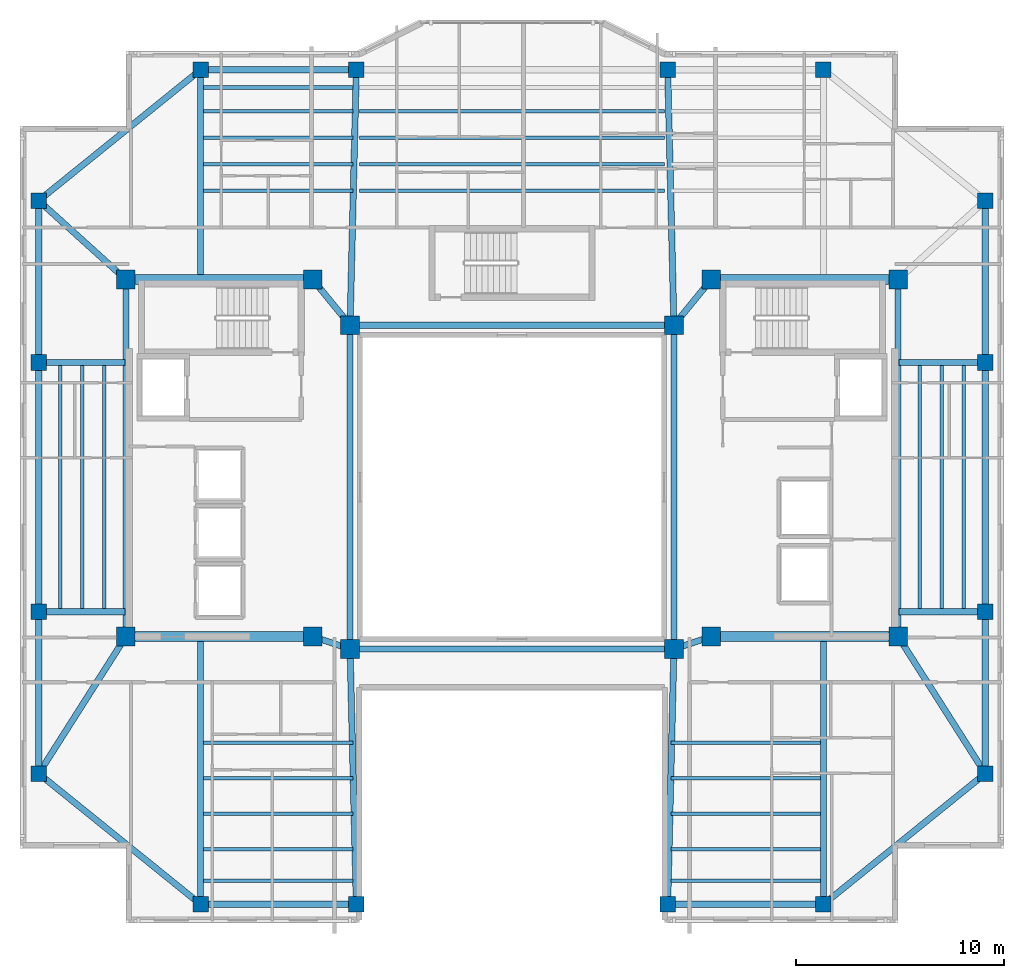
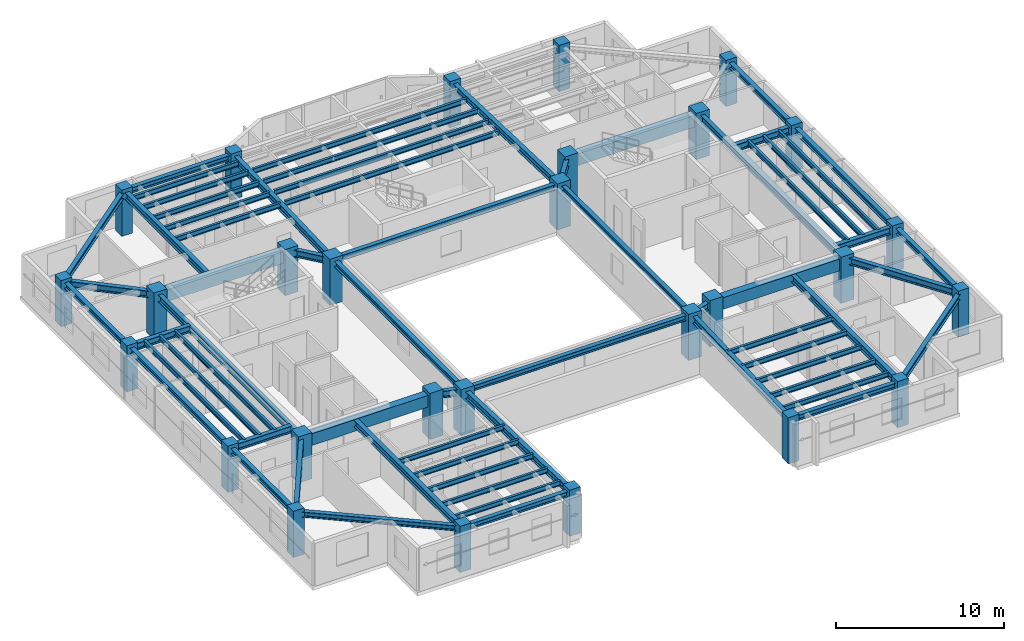
# One storey, part 1 of 12: 65 beams, 28 columns.
"""IFC4 building model written with IfcOpenShell, lengths in metres."""

from ifc_helpers import new_model, si_unit, direction, frame, origin, origin_2d, place, context, subcontext, project, spatial, rectangle, i_section, extrude, material, material_profile, profile_set, type_object, element, save


model = new_model("IFC4")

# Units and contexts
model_context = context("Model", 3, precision=1e-05, world=origin(), true_north=direction((0.0, 1.0)))
body_context = subcontext(model_context, "Body", "Model", "MODEL_VIEW")
ifc_project = project(units=[si_unit("LENGTHUNIT", "METRE"), si_unit("AREAUNIT", "SQUARE_METRE"), si_unit("VOLUMEUNIT", "CUBIC_METRE"), si_unit("PLANEANGLEUNIT", "RADIAN"), si_unit("MASSUNIT", "GRAM", prefix="KILO")], contexts=[model_context])

# Site, building, storey
site_placement = place(None, origin())
site = spatial("IfcSite", under=ifc_project, at=site_placement, CompositionType="ELEMENT")
building_placement = place(site_placement, origin())
building = spatial("IfcBuilding", under=site, at=building_placement, Name="Tarnavaz Court Tower", CompositionType="ELEMENT")
storey_placement = place(building_placement, frame((0.0, 0.0, 200.300048828125)))
storey = spatial("IfcBuildingStorey", under=building, at=storey_placement, Name="L54", CompositionType="ELEMENT", Elevation=200.300048828125)

# Columns
ifc_material_1 = material(Name="Concrete C50/60", Category="concrete")
ifc_material_profile_1 = material_profile(ifc_material_1, rectangle(XDim=0.75, YDim=0.75, at=origin_2d()), Name="RC 750X750")
ifc_profile_set_1 = profile_set([ifc_material_profile_1], Name="Concrete C50/60")
column_type_1 = type_object("IfcColumnType", Name="CL-RC750", PredefinedType="COLUMN", material=ifc_profile_set_1)
for number, where, z_axis, x_axis, name in (
    (1, (-15.0, 20.10009765625, 0.0), (0.0, 0.0, 1.0), (1.0, 0.0, 0.0), "L54 Column PN-1"),
    (2, (-7.5, 20.10009765625, 0.0), (0.0, 0.0, 1.0), (1.0, 0.0, 0.0), "L54 Column PN-2"),
    (3, (7.5, 20.10009765625, 0.0), (0.0, 0.0, 1.0), (1.0, 0.0, 0.0), "L54 Column PN-3"),
    (4, (15.0, 20.10009765625, 0.0), (0.0, 0.0, 1.0), (1.0, 0.0, 0.0), "L54 Column PN-4"),
    (5, (-15.0, -20.10009765625, 0.0), (0.0, 0.0, 1.0), (1.0, 0.0, 0.0), "L54 Column PS-1"),
    (6, (-7.5, -20.10009765625, 0.0), (0.0, 0.0, 1.0), (1.0, 0.0, 0.0), "L54 Column PS-2"),
    (7, (7.5, -20.10009765625, 0.0), (0.0, 0.0, 1.0), (1.0, 0.0, 0.0), "L54 Column PS-3"),
    (8, (15.0, -20.10009765625, 0.0), (0.0, 0.0, 1.0), (1.0, 0.0, 0.0), "L54 Column PS-4"),
    (9, (22.800048828125, -13.800048828125, 0.0), (0.0, 0.0, 1.0), (1.0, 0.0, 0.0), "L54 Column PE-1"),
    (10, (22.800048828125, -6.0, 0.0), (0.0, 0.0, 1.0), (1.0, 0.0, 0.0), "L54 Column PE-2"),
    (11, (22.800048828125, 6.0, 0.0), (0.0, 0.0, 1.0), (1.0, 0.0, 0.0), "L54 Column PE-3"),
    (12, (22.800048828125, 13.800048828125, 0.0), (0.0, 0.0, 1.0), (1.0, 0.0, 0.0), "L54 Column PE-4"),
    (13, (-22.800048828125, -13.800048828125, 0.0), (0.0, 0.0, 1.0), (1.0, 0.0, 0.0), "L54 Column PW-1"),
    (14, (-22.800048828125, -6.0, 0.0), (0.0, 0.0, 1.0), (1.0, 0.0, 0.0), "L54 Column PW-2"),
    (15, (-22.800048828125, 6.0, 0.0), (0.0, 0.0, 1.0), (1.0, 0.0, 0.0), "L54 Column PW-3"),
    (16, (-22.800048828125, 13.800048828125, 0.0), (0.0, 0.0, 1.0), (1.0, 0.0, 0.0), "L54 Column PW-4"),
):
    element("IfcColumn", number, at=place(storey_placement, frame(where, z_axis=z_axis, x_axis=x_axis)), inside=storey, type_object=column_type_1, Name=name, PredefinedType="COLUMN", context=body_context, shape_type="SweptSolid", body=[
        extrude(rectangle(XDim=0.75, YDim=0.75, at=origin_2d()), origin(), (0.0, 0.0, 1.0), 3.349853515625),
    ])
ifc_material_profile_2 = material_profile(ifc_material_1, rectangle(XDim=0.89990234375, YDim=0.89990234375, at=origin_2d()), Name="RC 900X900")
ifc_profile_set_2 = profile_set([ifc_material_profile_2], Name="Concrete C50/60")
column_type_2 = type_object("IfcColumnType", Name="CL-RC900", PredefinedType="COLUMN", material=ifc_profile_set_2)
for number, where, z_axis, x_axis, name in (
    (17, (-7.800048828125, -7.800048828125, 0.0), (0.0, 0.0, 1.0), (1.0, 0.0, 0.0), "L54 Column IW-SW"),
    (18, (7.800048828125, -7.800048828125, 0.0), (0.0, 0.0, 1.0), (1.0, 0.0, 0.0), "L54 Column IW-SE"),
    (19, (-7.800048828125, 7.800048828125, 0.0), (0.0, 0.0, 1.0), (1.0, 0.0, 0.0), "L54 Column IW-NW"),
    (20, (7.800048828125, 7.800048828125, 0.0), (0.0, 0.0, 1.0), (1.0, 0.0, 0.0), "L54 Column IW-NE"),
    (21, (-9.60009765625, -7.199951171875, 0.0), (0.0, 0.0, 1.0), (1.0, 0.0, 0.0), "L54 Column CW-SI"),
    (22, (-9.60009765625, 10.0, 0.0), (0.0, 0.0, 1.0), (1.0, 0.0, 0.0), "L54 Column CW-NI"),
    (23, (9.60009765625, -7.199951171875, 0.0), (0.0, 0.0, 1.0), (1.0, 0.0, 0.0), "L54 Column CE-SI"),
    (24, (9.60009765625, 10.0, 0.0), (0.0, 0.0, 1.0), (1.0, 0.0, 0.0), "L54 Column CE-NI"),
    (25, (-18.60009765625, -7.199951171875, 0.0), (0.0, 0.0, 1.0), (1.0, 0.0, 0.0), "L54 Column CW-SO"),
    (26, (-18.60009765625, 10.0, 0.0), (0.0, 0.0, 1.0), (1.0, 0.0, 0.0), "L54 Column CW-NO"),
    (27, (18.60009765625, -7.199951171875, 0.0), (0.0, 0.0, 1.0), (1.0, 0.0, 0.0), "L54 Column CE-SO"),
    (28, (18.60009765625, 10.0, 0.0), (0.0, 0.0, 1.0), (1.0, 0.0, 0.0), "L54 Column CE-NO"),
):
    element("IfcColumn", number, at=place(storey_placement, frame(where, z_axis=z_axis, x_axis=x_axis)), inside=storey, type_object=column_type_2, Name=name, PredefinedType="COLUMN", context=body_context, shape_type="SweptSolid", body=[
        extrude(rectangle(XDim=0.89990234375, YDim=0.89990234375, at=origin_2d()), origin(), (0.0, 0.0, 1.0), 3.349853515625),
    ])

# Beams
ifc_material_profile_3 = material_profile(ifc_material_1, rectangle(XDim=0.5, YDim=0.85009765625, at=origin_2d()), Name="RC 500X850")
ifc_profile_set_3 = profile_set([ifc_material_profile_3], Name="Concrete C50/60")
beam_type_1 = type_object("IfcBeamType", Name="BM-CB850", PredefinedType="LINTEL", material=ifc_profile_set_3)
for number, where, z_axis, x_axis, name in (
    (29, (-18.3798828125, -7.199951171875, 2.675048828125), (1.0, 0.0, 0.0), (0.0, 1.0, 0.0), "L54 Beam IN-CW-SO-CW-SI"),
    (30, (-18.3798828125, 10.0, 2.675048828125), (1.0, 0.0, 0.0), (0.0, 1.0, 0.0), "L54 Beam IN-CW-NO-CW-NI"),
    (31, (18.3798828125, -7.199951171875, 2.675048828125), (-1.0, 0.0, 0.0), (0.0, -1.0, 0.0), "L54 Beam IN-CE-SO-CE-SI"),
    (32, (18.3798828125, 10.0, 2.675048828125), (-1.0, 0.0, 0.0), (0.0, -1.0, 0.0), "L54 Beam IN-CE-NO-CE-NI"),
):
    element("IfcBeam", number, at=place(storey_placement, frame(where, z_axis=z_axis, x_axis=x_axis)), inside=storey, type_object=beam_type_1, Name=name, PredefinedType="LINTEL", context=body_context, shape_type="SweptSolid", body=[
        extrude(rectangle(XDim=0.5, YDim=0.85009765625, at=origin_2d()), origin(), (0.0, 0.0, 1.0), 8.559814453125),
    ])
ifc_material_2 = material(Name="Steel S355", Category="steel")
ifc_material_profile_4 = material_profile(ifc_material_2, i_section(OverallWidth=0.300048828125, OverallDepth=0.5, WebThickness=0.014404296875, FlangeThickness=0.028076171875, FilletRadius=0.027099609375, at=origin_2d()), Name="HEB 500")
ifc_profile_set_4 = profile_set([ifc_material_profile_4], Name="Steel S355")
beam_type_2 = type_object("IfcBeamType", Name="BM-G-HEB500", PredefinedType="USERDEFINED", material=ifc_profile_set_4)
for number, where, z_axis, x_axis, name in (
    (33, (-9.391357421875, -7.26953125, 2.849853515625), (0.948666544706, -0.316278021615, 0.0), (0.316278021615, 0.948666544706, 0.0), "L54 Beam IN-CW-SI-IW-SW"),
    (34, (9.391357421875, -7.26953125, 2.849853515625), (-0.948666544706, -0.316278021615, 0.0), (0.316278021615, -0.948666544706, 0.0), "L54 Beam IN-CE-SI-IW-SE"),
):
    element("IfcBeam", number, at=place(storey_placement, frame(where, z_axis=z_axis, x_axis=x_axis)), inside=storey, type_object=beam_type_2, Name=name, ObjectType="GIRDER", PredefinedType="USERDEFINED", context=body_context, shape_type="SweptSolid", body=[
        extrude(i_section(OverallWidth=0.300048828125, OverallDepth=0.5, WebThickness=0.014404296875, FlangeThickness=0.028076171875, FilletRadius=0.027099609375, at=origin_2d()), origin(), (0.0, 0.0, 1.0), 1.457275390625),
    ])
for number, where, z_axis, x_axis, name in (
    (35, (-9.460693359375, 9.82958984375, 2.849853515625), (0.633282058357, -0.773921077735, 0.0), (0.773921077735, 0.633282058357, 0.0), "L54 Beam IN-CW-NI-IW-NW"),
    (36, (9.460693359375, 9.82958984375, 2.849853515625), (-0.633282058357, -0.773921077735, 0.0), (0.773921077735, -0.633282058357, 0.0), "L54 Beam IN-CE-NI-IW-NE"),
):
    element("IfcBeam", number, at=place(storey_placement, frame(where, z_axis=z_axis, x_axis=x_axis)), inside=storey, type_object=beam_type_2, Name=name, ObjectType="GIRDER", PredefinedType="USERDEFINED", context=body_context, shape_type="SweptSolid", body=[
        extrude(i_section(OverallWidth=0.300048828125, OverallDepth=0.5, WebThickness=0.014404296875, FlangeThickness=0.028076171875, FilletRadius=0.027099609375, at=origin_2d()), origin(), (0.0, 0.0, 1.0), 2.402587890625),
    ])
for number, where, z_axis, x_axis, name in (
    (37, (-18.60009765625, -6.97998046875, 2.849853515625), (0.0, 1.0, 0.0), (-1.0, 0.0, 0.0), "L54 Beam IN-CW-SO-CW-NO"),
    (38, (18.60009765625, -6.97998046875, 2.849853515625), (0.0, 1.0, 0.0), (-1.0, 0.0, 0.0), "L54 Beam IN-CE-SO-CE-NO"),
):
    element("IfcBeam", number, at=place(storey_placement, frame(where, z_axis=z_axis, x_axis=x_axis)), inside=storey, type_object=beam_type_2, Name=name, ObjectType="GIRDER", PredefinedType="USERDEFINED", context=body_context, shape_type="SweptSolid", body=[
        extrude(i_section(OverallWidth=0.300048828125, OverallDepth=0.5, WebThickness=0.014404296875, FlangeThickness=0.028076171875, FilletRadius=0.027099609375, at=origin_2d()), origin(), (0.0, 0.0, 1.0), 16.760009765625),
    ])
beam_1_placement = place(storey_placement, frame((-15.0, 10.0400390625, 2.849853515625), z_axis=(0.0, 1.0, 0.0), x_axis=(-1.0, 0.0, 0.0)))
element("IfcBeam", 39, at=beam_1_placement, inside=storey, type_object=beam_type_2, Name="L54 Beam RG-01", ObjectType="GIRDER", PredefinedType="USERDEFINED", context=body_context, shape_type="SweptSolid", body=[
    extrude(i_section(OverallWidth=0.300048828125, OverallDepth=0.5, WebThickness=0.014404296875, FlangeThickness=0.028076171875, FilletRadius=0.027099609375, at=origin_2d()), origin(), (0.0, 0.0, 1.0), 9.83984375),
])
for number, where, z_axis, x_axis, name in (
    (40, (-7.794677734375, 8.02001953125, 2.849853515625), (0.024386002211, 0.99970261723, 0.0), (-0.99970261723, 0.024386002211, 0.0), "L54 Beam RG-02"),
    (41, (7.794677734375, 8.02001953125, 2.849853515625), (-0.024386002211, 0.99970261723, 0.0), (-0.99970261723, -0.024386002211, 0.0), "L54 Beam RG-03"),
):
    element("IfcBeam", number, at=place(storey_placement, frame(where, z_axis=z_axis, x_axis=x_axis)), inside=storey, type_object=beam_type_2, Name=name, ObjectType="GIRDER", PredefinedType="USERDEFINED", context=body_context, shape_type="SweptSolid", body=[
        extrude(i_section(OverallWidth=0.300048828125, OverallDepth=0.5, WebThickness=0.014404296875, FlangeThickness=0.028076171875, FilletRadius=0.027099609375, at=origin_2d()), origin(), (0.0, 0.0, 1.0), 11.863525390625),
    ])
beam_2_placement = place(storey_placement, frame((-15.0, -7.239990234375, 2.849853515625), z_axis=(0.0, -1.0, 0.0), x_axis=(1.0, 0.0, 0.0)))
element("IfcBeam", 42, at=beam_2_placement, inside=storey, type_object=beam_type_2, Name="L54 Beam RG-05", ObjectType="GIRDER", PredefinedType="USERDEFINED", context=body_context, shape_type="SweptSolid", body=[
    extrude(i_section(OverallWidth=0.300048828125, OverallDepth=0.5, WebThickness=0.014404296875, FlangeThickness=0.028076171875, FilletRadius=0.027099609375, at=origin_2d()), origin(), (0.0, 0.0, 1.0), 12.639892578125),
])
for number, where, z_axis, x_axis, name in (
    (43, (-7.794677734375, -8.02001953125, 2.849853515625), (0.024386002211, -0.99970261723, 0.0), (0.99970261723, 0.024386002211, 0.0), "L54 Beam RG-06"),
    (44, (7.794677734375, -8.02001953125, 2.849853515625), (-0.024386002211, -0.99970261723, 0.0), (0.99970261723, -0.024386002211, 0.0), "L54 Beam RG-07"),
):
    element("IfcBeam", number, at=place(storey_placement, frame(where, z_axis=z_axis, x_axis=x_axis)), inside=storey, type_object=beam_type_2, Name=name, ObjectType="GIRDER", PredefinedType="USERDEFINED", context=body_context, shape_type="SweptSolid", body=[
        extrude(i_section(OverallWidth=0.300048828125, OverallDepth=0.5, WebThickness=0.014404296875, FlangeThickness=0.028076171875, FilletRadius=0.027099609375, at=origin_2d()), origin(), (0.0, 0.0, 1.0), 11.863525390625),
    ])
beam_3_placement = place(storey_placement, frame((15.0, -7.239990234375, 2.849853515625), z_axis=(0.0, -1.0, 0.0), x_axis=(1.0, 0.0, 0.0)))
element("IfcBeam", 45, at=beam_3_placement, inside=storey, type_object=beam_type_2, Name="L54 Beam RG-08", ObjectType="GIRDER", PredefinedType="USERDEFINED", context=body_context, shape_type="SweptSolid", body=[
    extrude(i_section(OverallWidth=0.300048828125, OverallDepth=0.5, WebThickness=0.014404296875, FlangeThickness=0.028076171875, FilletRadius=0.027099609375, at=origin_2d()), origin(), (0.0, 0.0, 1.0), 12.639892578125),
])
for number, where, z_axis, x_axis, name in (
    (46, (18.639892578125, -6.0, 2.849853515625), (1.0, 0.0, 0.0), (0.0, 1.0, 0.0), "L54 Beam RG-09"),
    (47, (18.639892578125, 6.0, 2.849853515625), (1.0, 0.0, 0.0), (0.0, 1.0, 0.0), "L54 Beam RG-10"),
):
    element("IfcBeam", number, at=place(storey_placement, frame(where, z_axis=z_axis, x_axis=x_axis)), inside=storey, type_object=beam_type_2, Name=name, ObjectType="GIRDER", PredefinedType="USERDEFINED", context=body_context, shape_type="SweptSolid", body=[
        extrude(i_section(OverallWidth=0.300048828125, OverallDepth=0.5, WebThickness=0.014404296875, FlangeThickness=0.028076171875, FilletRadius=0.027099609375, at=origin_2d()), origin(), (0.0, 0.0, 1.0), 3.940185546875),
    ])
beam_4_placement = place(storey_placement, frame((18.718017578125, -7.385498046875, 2.849853515625), z_axis=(0.536871212964, -0.843664210863, 0.0), x_axis=(0.843664210863, 0.536871212964, 0.0)))
element("IfcBeam", 48, at=beam_4_placement, inside=storey, type_object=beam_type_2, Name="L54 Beam RG-11", ObjectType="GIRDER", PredefinedType="USERDEFINED", context=body_context, shape_type="SweptSolid", body=[
    extrude(i_section(OverallWidth=0.300048828125, OverallDepth=0.5, WebThickness=0.014404296875, FlangeThickness=0.028076171875, FilletRadius=0.027099609375, at=origin_2d()), origin(), (0.0, 0.0, 1.0), 7.38330078125),
])
for number, where, z_axis, x_axis, name in (
    (49, (-18.639892578125, -6.0, 2.849853515625), (-1.0, 0.0, 0.0), (0.0, -1.0, 0.0), "L54 Beam RG-13"),
    (50, (-18.639892578125, 6.0, 2.849853515625), (-1.0, 0.0, 0.0), (0.0, -1.0, 0.0), "L54 Beam RG-14"),
):
    element("IfcBeam", number, at=place(storey_placement, frame(where, z_axis=z_axis, x_axis=x_axis)), inside=storey, type_object=beam_type_2, Name=name, ObjectType="GIRDER", PredefinedType="USERDEFINED", context=body_context, shape_type="SweptSolid", body=[
        extrude(i_section(OverallWidth=0.300048828125, OverallDepth=0.5, WebThickness=0.014404296875, FlangeThickness=0.028076171875, FilletRadius=0.027099609375, at=origin_2d()), origin(), (0.0, 0.0, 1.0), 3.940185546875),
    ])
beam_5_placement = place(storey_placement, frame((-18.718017578125, -7.385498046875, 2.849853515625), z_axis=(-0.536871212964, -0.843664210863, 0.0), x_axis=(0.843664210863, -0.536871212964, 0.0)))
element("IfcBeam", 51, at=beam_5_placement, inside=storey, type_object=beam_type_2, Name="L54 Beam RG-15", ObjectType="GIRDER", PredefinedType="USERDEFINED", context=body_context, shape_type="SweptSolid", body=[
    extrude(i_section(OverallWidth=0.300048828125, OverallDepth=0.5, WebThickness=0.014404296875, FlangeThickness=0.028076171875, FilletRadius=0.027099609375, at=origin_2d()), origin(), (0.0, 0.0, 1.0), 7.38330078125),
])
beam_6_placement = place(storey_placement, frame((-18.76318359375, 10.147705078125, 2.849853515625), z_axis=(-0.741555708494, 0.670891296113, 0.0), x_axis=(-0.670891296113, -0.741555708494, 0.0)))
element("IfcBeam", 52, at=beam_6_placement, inside=storey, type_object=beam_type_2, Name="L54 Beam RG-16", ObjectType="GIRDER", PredefinedType="USERDEFINED", context=body_context, shape_type="SweptSolid", body=[
    extrude(i_section(OverallWidth=0.300048828125, OverallDepth=0.5, WebThickness=0.014404296875, FlangeThickness=0.028076171875, FilletRadius=0.027099609375, at=origin_2d()), origin(), (0.0, 0.0, 1.0), 5.223876953125),
])
ifc_material_profile_5 = material_profile(ifc_material_2, i_section(OverallWidth=0.169921875, OverallDepth=0.360107421875, WebThickness=0.008056640625, FlangeThickness=0.0126953125, FilletRadius=0.01806640625, at=origin_2d()), Name="IPE 360")
ifc_profile_set_5 = profile_set([ifc_material_profile_5], Name="Steel S355")
beam_type_3 = type_object("IfcBeamType", Name="BM-J-IPE360", PredefinedType="JOIST", material=ifc_profile_set_5)
beam_7_placement = place(storey_placement, frame((-14.85009765625, 14.278076171875, 2.919921875), z_axis=(1.0, 0.0, 0.0), x_axis=(0.0, 1.0, 0.0)))
element("IfcBeam", 53, at=beam_7_placement, inside=storey, type_object=beam_type_3, Name="L54 Beam JN1-1", PredefinedType="JOIST", context=body_context, shape_type="SweptSolid", body=[
    extrude(i_section(OverallWidth=0.169921875, OverallDepth=0.360107421875, WebThickness=0.008056640625, FlangeThickness=0.0126953125, FilletRadius=0.01806640625, at=origin_2d()), origin(), (0.0, 0.0, 1.0), 7.2001953125),
])
beam_8_placement = place(storey_placement, frame((-7.35009765625, 14.278076171875, 2.919921875), z_axis=(1.0, 0.0, 0.0), x_axis=(0.0, 1.0, 0.0)))
element("IfcBeam", 54, at=beam_8_placement, inside=storey, type_object=beam_type_3, Name="L54 Beam JN1-2", PredefinedType="JOIST", context=body_context, shape_type="SweptSolid", body=[
    extrude(i_section(OverallWidth=0.169921875, OverallDepth=0.360107421875, WebThickness=0.008056640625, FlangeThickness=0.0126953125, FilletRadius=0.01806640625, at=origin_2d()), origin(), (0.0, 0.0, 1.0), 14.7001953125),
])
for number, where, z_axis, x_axis, name in (
    (55, (-14.85009765625, -12.31005859375, 2.919921875), (1.0, 0.0, 0.0), (0.0, 1.0, 0.0), "L54 Beam JS1-1"),
    (56, (7.64990234375, -12.31005859375, 2.919921875), (1.0, 0.0, 0.0), (0.0, 1.0, 0.0), "L54 Beam JS1-2"),
    (57, (-14.85009765625, 15.555908203125, 2.919921875), (1.0, 0.0, 0.0), (0.0, 1.0, 0.0), "L54 Beam JN2-1"),
):
    element("IfcBeam", number, at=place(storey_placement, frame(where, z_axis=z_axis, x_axis=x_axis)), inside=storey, type_object=beam_type_3, Name=name, PredefinedType="JOIST", context=body_context, shape_type="SweptSolid", body=[
        extrude(i_section(OverallWidth=0.169921875, OverallDepth=0.360107421875, WebThickness=0.008056640625, FlangeThickness=0.0126953125, FilletRadius=0.01806640625, at=origin_2d()), origin(), (0.0, 0.0, 1.0), 7.2001953125),
    ])
beam_9_placement = place(storey_placement, frame((-7.35009765625, 15.555908203125, 2.919921875), z_axis=(1.0, 0.0, 0.0), x_axis=(0.0, 1.0, 0.0)))
element("IfcBeam", 58, at=beam_9_placement, inside=storey, type_object=beam_type_3, Name="L54 Beam JN2-2", PredefinedType="JOIST", context=body_context, shape_type="SweptSolid", body=[
    extrude(i_section(OverallWidth=0.169921875, OverallDepth=0.360107421875, WebThickness=0.008056640625, FlangeThickness=0.0126953125, FilletRadius=0.01806640625, at=origin_2d()), origin(), (0.0, 0.0, 1.0), 14.7001953125),
])
for number, where, z_axis, x_axis, name in (
    (59, (-14.85009765625, -14.02001953125, 2.919921875), (1.0, 0.0, 0.0), (0.0, 1.0, 0.0), "L54 Beam JS2-1"),
    (60, (7.64990234375, -14.02001953125, 2.919921875), (1.0, 0.0, 0.0), (0.0, 1.0, 0.0), "L54 Beam JS2-2"),
    (61, (-14.85009765625, 16.833984375, 2.919921875), (1.0, 0.0, 0.0), (0.0, 1.0, 0.0), "L54 Beam JN3-1"),
):
    element("IfcBeam", number, at=place(storey_placement, frame(where, z_axis=z_axis, x_axis=x_axis)), inside=storey, type_object=beam_type_3, Name=name, PredefinedType="JOIST", context=body_context, shape_type="SweptSolid", body=[
        extrude(i_section(OverallWidth=0.169921875, OverallDepth=0.360107421875, WebThickness=0.008056640625, FlangeThickness=0.0126953125, FilletRadius=0.01806640625, at=origin_2d()), origin(), (0.0, 0.0, 1.0), 7.2001953125),
    ])
beam_10_placement = place(storey_placement, frame((-7.35009765625, 16.833984375, 2.919921875), z_axis=(1.0, 0.0, 0.0), x_axis=(0.0, 1.0, 0.0)))
element("IfcBeam", 62, at=beam_10_placement, inside=storey, type_object=beam_type_3, Name="L54 Beam JN3-2", PredefinedType="JOIST", context=body_context, shape_type="SweptSolid", body=[
    extrude(i_section(OverallWidth=0.169921875, OverallDepth=0.360107421875, WebThickness=0.008056640625, FlangeThickness=0.0126953125, FilletRadius=0.01806640625, at=origin_2d()), origin(), (0.0, 0.0, 1.0), 14.7001953125),
])
for number, where, z_axis, x_axis, name in (
    (63, (-14.85009765625, -15.72998046875, 2.919921875), (1.0, 0.0, 0.0), (0.0, 1.0, 0.0), "L54 Beam JS3-1"),
    (64, (7.64990234375, -15.72998046875, 2.919921875), (1.0, 0.0, 0.0), (0.0, 1.0, 0.0), "L54 Beam JS3-2"),
    (65, (-14.85009765625, 18.112060546875, 2.919921875), (1.0, 0.0, 0.0), (0.0, 1.0, 0.0), "L54 Beam JN4-1"),
):
    element("IfcBeam", number, at=place(storey_placement, frame(where, z_axis=z_axis, x_axis=x_axis)), inside=storey, type_object=beam_type_3, Name=name, PredefinedType="JOIST", context=body_context, shape_type="SweptSolid", body=[
        extrude(i_section(OverallWidth=0.169921875, OverallDepth=0.360107421875, WebThickness=0.008056640625, FlangeThickness=0.0126953125, FilletRadius=0.01806640625, at=origin_2d()), origin(), (0.0, 0.0, 1.0), 7.2001953125),
    ])
beam_11_placement = place(storey_placement, frame((-7.35009765625, 18.112060546875, 2.919921875), z_axis=(1.0, 0.0, 0.0), x_axis=(0.0, 1.0, 0.0)))
element("IfcBeam", 66, at=beam_11_placement, inside=storey, type_object=beam_type_3, Name="L54 Beam JN4-2", PredefinedType="JOIST", context=body_context, shape_type="SweptSolid", body=[
    extrude(i_section(OverallWidth=0.169921875, OverallDepth=0.360107421875, WebThickness=0.008056640625, FlangeThickness=0.0126953125, FilletRadius=0.01806640625, at=origin_2d()), origin(), (0.0, 0.0, 1.0), 14.7001953125),
])
for number, where, z_axis, x_axis, name in (
    (67, (-14.85009765625, -17.43994140625, 2.919921875), (1.0, 0.0, 0.0), (0.0, 1.0, 0.0), "L54 Beam JS4-1"),
    (68, (7.64990234375, -17.43994140625, 2.919921875), (1.0, 0.0, 0.0), (0.0, 1.0, 0.0), "L54 Beam JS4-2"),
    (69, (-14.85009765625, 19.248046875, 2.919921875), (1.0, 0.0, 0.0), (0.0, 1.0, 0.0), "L54 Beam JN5-1"),
    (70, (-14.85009765625, -18.9599609375, 2.919921875), (1.0, 0.0, 0.0), (0.0, 1.0, 0.0), "L54 Beam JS5-1"),
    (71, (7.64990234375, -18.9599609375, 2.919921875), (1.0, 0.0, 0.0), (0.0, 1.0, 0.0), "L54 Beam JS5-2"),
):
    element("IfcBeam", number, at=place(storey_placement, frame(where, z_axis=z_axis, x_axis=x_axis)), inside=storey, type_object=beam_type_3, Name=name, PredefinedType="JOIST", context=body_context, shape_type="SweptSolid", body=[
        extrude(i_section(OverallWidth=0.169921875, OverallDepth=0.360107421875, WebThickness=0.008056640625, FlangeThickness=0.0126953125, FilletRadius=0.01806640625, at=origin_2d()), origin(), (0.0, 0.0, 1.0), 7.2001953125),
    ])
for number, where, z_axis, x_axis, name in (
    (72, (19.64990234375, -5.9599609375, 2.919921875), (0.0, 1.0, 0.0), (-1.0, 0.0, 0.0), "L54 Beam JE1"),
    (73, (-19.64990234375, -5.9599609375, 2.919921875), (0.0, 1.0, 0.0), (-1.0, 0.0, 0.0), "L54 Beam JW1"),
    (74, (20.699951171875, -5.9599609375, 2.919921875), (0.0, 1.0, 0.0), (-1.0, 0.0, 0.0), "L54 Beam JE2"),
    (75, (-20.699951171875, -5.9599609375, 2.919921875), (0.0, 1.0, 0.0), (-1.0, 0.0, 0.0), "L54 Beam JW2"),
    (76, (21.75, -5.9599609375, 2.919921875), (0.0, 1.0, 0.0), (-1.0, 0.0, 0.0), "L54 Beam JE3"),
    (77, (-21.75, -5.9599609375, 2.919921875), (0.0, 1.0, 0.0), (-1.0, 0.0, 0.0), "L54 Beam JW3"),
):
    element("IfcBeam", number, at=place(storey_placement, frame(where, z_axis=z_axis, x_axis=x_axis)), inside=storey, type_object=beam_type_3, Name=name, PredefinedType="JOIST", context=body_context, shape_type="SweptSolid", body=[
        extrude(i_section(OverallWidth=0.169921875, OverallDepth=0.360107421875, WebThickness=0.008056640625, FlangeThickness=0.0126953125, FilletRadius=0.01806640625, at=origin_2d()), origin(), (0.0, 0.0, 1.0), 11.919921875),
    ])
ifc_material_profile_6 = material_profile(ifc_material_2, i_section(OverallWidth=0.300048828125, OverallDepth=0.389892578125, WebThickness=0.010986328125, FlangeThickness=0.01904296875, FilletRadius=0.027099609375, at=origin_2d()), Name="HEA 400")
ifc_profile_set_6 = profile_set([ifc_material_profile_6], Name="Steel S355")
beam_type_4 = type_object("IfcBeamType", Name="BM-SP-HEA400", PredefinedType="BEAM", material=ifc_profile_set_6)
for number, where, z_axis, x_axis, name in (
    (78, (-7.580078125, -7.800048828125, 2.905029296875), (1.0, 0.0, 0.0), (0.0, 1.0, 0.0), "L54 Beam IN-IW-SW-IW-SE"),
    (79, (-7.580078125, 7.800048828125, 2.905029296875), (1.0, 0.0, 0.0), (0.0, 1.0, 0.0), "L54 Beam IN-IW-NW-IW-NE"),
    (80, (-7.800048828125, -7.580078125, 2.905029296875), (0.0, 1.0, 0.0), (-1.0, 0.0, 0.0), "L54 Beam IN-IW-SW-IW-NW"),
    (81, (7.800048828125, -7.580078125, 2.905029296875), (0.0, 1.0, 0.0), (-1.0, 0.0, 0.0), "L54 Beam IN-IW-SE-IW-NE"),
):
    element("IfcBeam", number, at=place(storey_placement, frame(where, z_axis=z_axis, x_axis=x_axis)), inside=storey, type_object=beam_type_4, Name=name, PredefinedType="BEAM", context=body_context, shape_type="SweptSolid", body=[
        extrude(i_section(OverallWidth=0.300048828125, OverallDepth=0.389892578125, WebThickness=0.010986328125, FlangeThickness=0.01904296875, FilletRadius=0.027099609375, at=origin_2d()), origin(), (0.0, 0.0, 1.0), 15.16015625),
    ])
for number, where, z_axis, x_axis, name in (
    (82, (-14.780029296875, 20.10009765625, 2.905029296875), (1.0, 0.0, 0.0), (0.0, 1.0, 0.0), "L54 Beam PR-PN-1-PN-2"),
    (83, (-14.780029296875, -20.10009765625, 2.905029296875), (1.0, 0.0, 0.0), (0.0, 1.0, 0.0), "L54 Beam PR-PS-1-PS-2"),
    (84, (7.719970703125, -20.10009765625, 2.905029296875), (1.0, 0.0, 0.0), (0.0, 1.0, 0.0), "L54 Beam PR-PS-3-PS-4"),
):
    element("IfcBeam", number, at=place(storey_placement, frame(where, z_axis=z_axis, x_axis=x_axis)), inside=storey, type_object=beam_type_4, Name=name, PredefinedType="BEAM", context=body_context, shape_type="SweptSolid", body=[
        extrude(i_section(OverallWidth=0.300048828125, OverallDepth=0.389892578125, WebThickness=0.010986328125, FlangeThickness=0.01904296875, FilletRadius=0.027099609375, at=origin_2d()), origin(), (0.0, 0.0, 1.0), 7.06005859375),
    ])
beam_12_placement = place(storey_placement, frame((22.800048828125, -13.580078125, 2.905029296875), z_axis=(0.0, 1.0, 0.0), x_axis=(-1.0, 0.0, 0.0)))
element("IfcBeam", 85, at=beam_12_placement, inside=storey, type_object=beam_type_4, Name="L54 Beam PR-PE-1-PE-2", PredefinedType="BEAM", context=body_context, shape_type="SweptSolid", body=[
    extrude(i_section(OverallWidth=0.300048828125, OverallDepth=0.389892578125, WebThickness=0.010986328125, FlangeThickness=0.01904296875, FilletRadius=0.027099609375, at=origin_2d()), origin(), (0.0, 0.0, 1.0), 7.360107421875),
])
beam_13_placement = place(storey_placement, frame((22.800048828125, -5.780029296875, 2.905029296875), z_axis=(0.0, 1.0, 0.0), x_axis=(-1.0, 0.0, 0.0)))
element("IfcBeam", 86, at=beam_13_placement, inside=storey, type_object=beam_type_4, Name="L54 Beam PR-PE-2-PE-3", PredefinedType="BEAM", context=body_context, shape_type="SweptSolid", body=[
    extrude(i_section(OverallWidth=0.300048828125, OverallDepth=0.389892578125, WebThickness=0.010986328125, FlangeThickness=0.01904296875, FilletRadius=0.027099609375, at=origin_2d()), origin(), (0.0, 0.0, 1.0), 11.56005859375),
])
for number, where, z_axis, x_axis, name in (
    (87, (22.800048828125, 6.219970703125, 2.905029296875), (0.0, 1.0, 0.0), (-1.0, 0.0, 0.0), "L54 Beam PR-PE-3-PE-4"),
    (88, (-22.800048828125, -13.580078125, 2.905029296875), (0.0, 1.0, 0.0), (-1.0, 0.0, 0.0), "L54 Beam PR-PW-1-PW-2"),
):
    element("IfcBeam", number, at=place(storey_placement, frame(where, z_axis=z_axis, x_axis=x_axis)), inside=storey, type_object=beam_type_4, Name=name, PredefinedType="BEAM", context=body_context, shape_type="SweptSolid", body=[
        extrude(i_section(OverallWidth=0.300048828125, OverallDepth=0.389892578125, WebThickness=0.010986328125, FlangeThickness=0.01904296875, FilletRadius=0.027099609375, at=origin_2d()), origin(), (0.0, 0.0, 1.0), 7.360107421875),
    ])
beam_14_placement = place(storey_placement, frame((-22.800048828125, -5.780029296875, 2.905029296875), z_axis=(0.0, 1.0, 0.0), x_axis=(-1.0, 0.0, 0.0)))
element("IfcBeam", 89, at=beam_14_placement, inside=storey, type_object=beam_type_4, Name="L54 Beam PR-PW-2-PW-3", PredefinedType="BEAM", context=body_context, shape_type="SweptSolid", body=[
    extrude(i_section(OverallWidth=0.300048828125, OverallDepth=0.389892578125, WebThickness=0.010986328125, FlangeThickness=0.01904296875, FilletRadius=0.027099609375, at=origin_2d()), origin(), (0.0, 0.0, 1.0), 11.56005859375),
])
beam_15_placement = place(storey_placement, frame((-22.800048828125, 6.219970703125, 2.905029296875), z_axis=(0.0, 1.0, 0.0), x_axis=(-1.0, 0.0, 0.0)))
element("IfcBeam", 90, at=beam_15_placement, inside=storey, type_object=beam_type_4, Name="L54 Beam PR-PW-3-PW-4", PredefinedType="BEAM", context=body_context, shape_type="SweptSolid", body=[
    extrude(i_section(OverallWidth=0.300048828125, OverallDepth=0.389892578125, WebThickness=0.010986328125, FlangeThickness=0.01904296875, FilletRadius=0.027099609375, at=origin_2d()), origin(), (0.0, 0.0, 1.0), 7.360107421875),
])
for number, where, z_axis, x_axis, name in (
    (91, (22.62890625, -13.938232421875, 2.905029296875), (-0.777935913531, -0.628343627674, 0.0), (0.628343627674, -0.777935913531, 0.0), "L54 Beam PR-PE-1-PS-4"),
    (92, (-15.171142578125, -19.9619140625, 2.905029296875), (-0.777935913531, 0.628343627674, 0.0), (-0.628343627674, -0.777935913531, 0.0), "L54 Beam PR-PS-1-PW-1"),
    (93, (-22.62890625, 13.938232421875, 2.905029296875), (0.777935913531, 0.628343627674, 0.0), (-0.628343627674, 0.777935913531, 0.0), "L54 Beam PR-PW-4-PN-1"),
):
    element("IfcBeam", number, at=place(storey_placement, frame(where, z_axis=z_axis, x_axis=x_axis)), inside=storey, type_object=beam_type_4, Name=name, PredefinedType="BEAM", context=body_context, shape_type="SweptSolid", body=[
        extrude(i_section(OverallWidth=0.300048828125, OverallDepth=0.389892578125, WebThickness=0.010986328125, FlangeThickness=0.01904296875, FilletRadius=0.027099609375, at=origin_2d()), origin(), (0.0, 0.0, 1.0), 9.586669921875),
    ])

save(model, "model.ifc")
